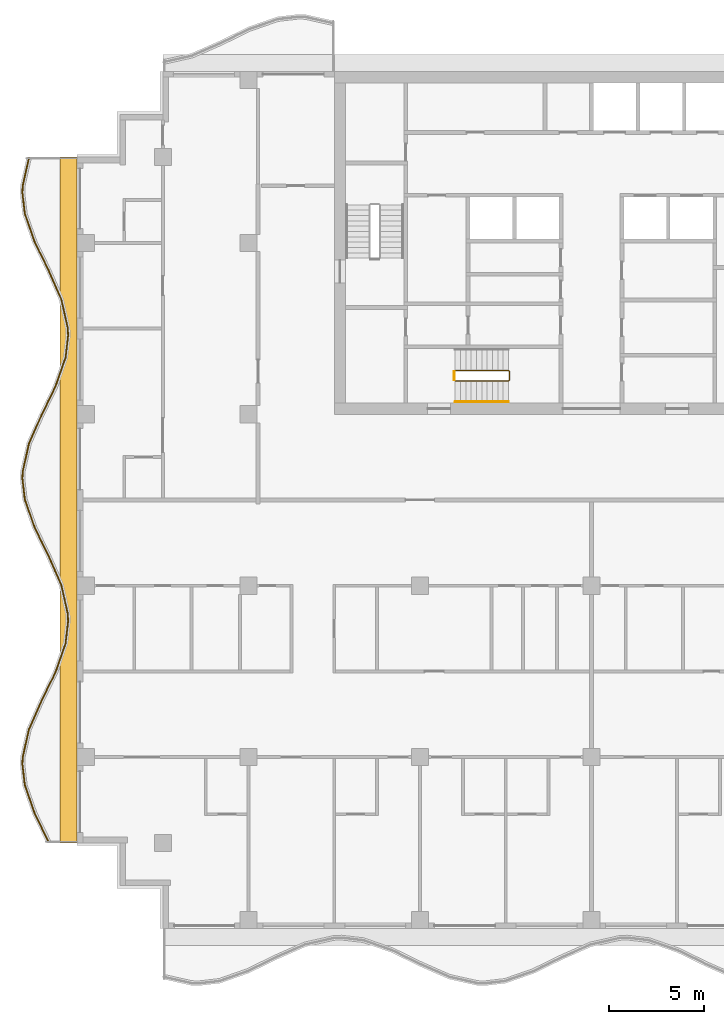
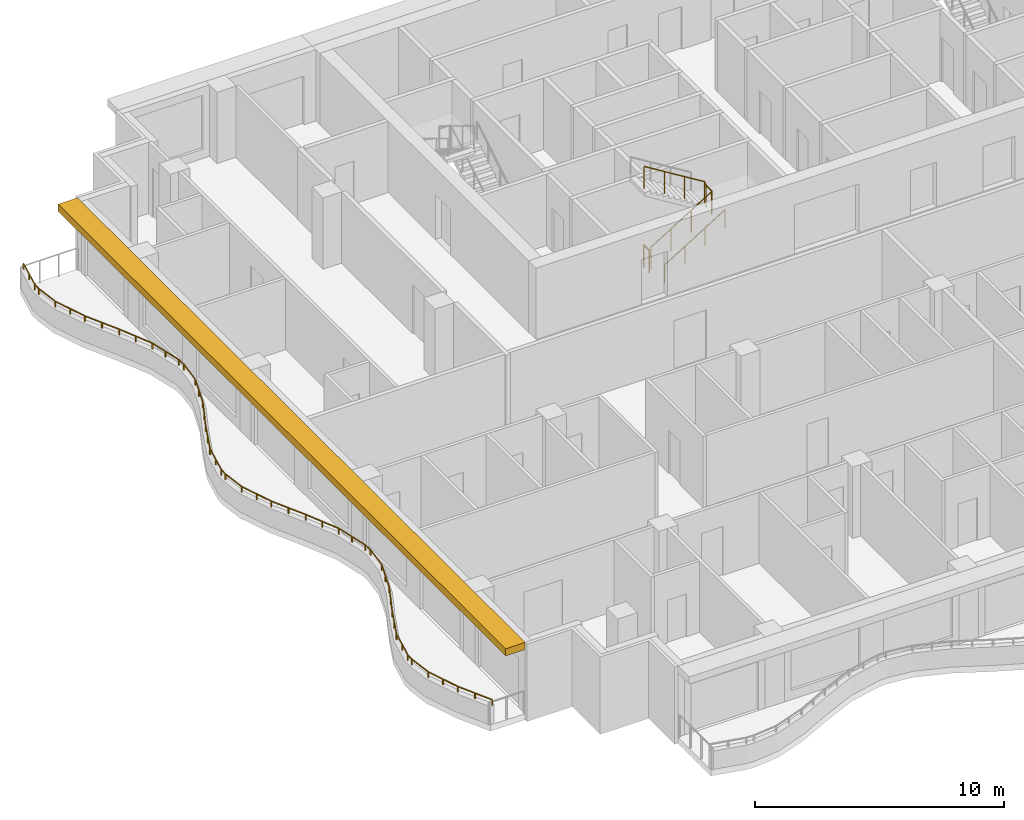
# One storey, part 9 of 11: 4 railings, 1 shading device.
"""IFC4 building model written with IfcOpenShell, lengths in metres."""

from ifc_helpers import new_model, si_unit, direction, frame, origin, origin_2d, place, context, subcontext, project, spatial, polyline, rectangle, circle, outline, extrude, material, layer, layer_set, type_object, element, save


model = new_model("IFC4")

# Units and contexts
model_context = context("Model", 3, precision=1e-05, world=origin(), true_north=direction((0.0, 1.0)))
body_context = subcontext(model_context, "Body", "Model", "MODEL_VIEW")
ifc_project = project(units=[si_unit("LENGTHUNIT", "METRE"), si_unit("AREAUNIT", "SQUARE_METRE"), si_unit("VOLUMEUNIT", "CUBIC_METRE"), si_unit("PLANEANGLEUNIT", "RADIAN"), si_unit("MASSUNIT", "GRAM", prefix="KILO")], contexts=[model_context])

# Site, building, storey
site_placement = place(None, origin())
site = spatial("IfcSite", under=ifc_project, at=site_placement, CompositionType="ELEMENT")
building_placement = place(site_placement, origin())
building = spatial("IfcBuilding", under=site, at=building_placement, Name="Orbiselva Terraces", CompositionType="ELEMENT")
storey_placement = place(building_placement, frame((0.0, 0.0, 276.8)))
storey = spatial("IfcBuildingStorey", under=building, at=storey_placement, Name="L70", CompositionType="ELEMENT", Elevation=276.8)

# Railings
ifc_material_1 = material(Name="Stainless steel", Category="steel")
railing_type_1 = type_object("IfcRailingType", Name="CORE-GUARD-1100", PredefinedType="GUARDRAIL", material=ifc_material_1)
railing_1_placement = place(storey_placement, frame((-7.15, 6.25, 0.172727)))
element("IfcRailing", 1, at=railing_1_placement, inside=storey, type_object=railing_type_1, Name="L70 S3 stair guard 1", PredefinedType="GUARDRAIL", context=body_context, shape_type="SweptSolid", body=[
    extrude(circle(Radius=0.024, at=origin_2d()), frame((0.0, 0.0, 1.081), z_axis=(0.851088519012, 0.0, 0.52502222125), x_axis=(0.0, 1.0, 0.0)), (0.0, 0.0, 1.0), 3.289905),
    extrude(circle(Radius=0.024, at=origin_2d()), frame((2.8, 0.0, 2.808273), z_axis=(0.707106781187, 0.707106781187, 0.0), x_axis=(-0.707106781187, 0.707106781187, 0.0)), (0.0, 0.0, 1.0), 0.070711),
    extrude(circle(Radius=0.024, at=origin_2d()), frame((2.85, 0.05, 2.808273), z_axis=(0.0, 1.0, 0.0), x_axis=(-1.0, 0.0, 0.0)), (0.0, 0.0, 1.0), 0.45),
    extrude(circle(Radius=0.024, at=origin_2d()), frame((2.85, 0.5, 2.808273), z_axis=(-0.267894925557, 0.267894925557, 0.925453736133), x_axis=(-0.707106781187, -0.707106781187, 0.0)), (0.0, 0.0, 1.0), 0.18664),
    extrude(circle(Radius=0.024, at=origin_2d()), frame((2.8, 0.55, 2.981), z_axis=(-0.851088519012, 0.0, 0.52502222125), x_axis=(0.0, -1.0, 0.0)), (0.0, 0.0, 1.0), 3.289905),
    extrude(circle(Radius=0.021, at=origin_2d()), origin(), (0.0, 0.0, 1.0), 1.057),
    extrude(circle(Radius=0.021, at=origin_2d()), frame((0.933333, 0.0, 0.575758)), (0.0, 0.0, 1.0), 1.057),
    extrude(circle(Radius=0.021, at=origin_2d()), frame((1.866667, 0.0, 1.151515)), (0.0, 0.0, 1.0), 1.057),
    extrude(circle(Radius=0.021, at=origin_2d()), frame((2.8, 0.0, 1.727273)), (0.0, 0.0, 1.0), 1.057),
    extrude(circle(Radius=0.021, at=origin_2d()), frame((2.85, 0.05, 1.727273)), (0.0, 0.0, 1.0), 1.057),
    extrude(circle(Radius=0.021, at=origin_2d()), frame((2.85, 0.5, 1.727273)), (0.0, 0.0, 1.0), 1.057),
    extrude(circle(Radius=0.021, at=origin_2d()), frame((2.8, 0.55, 1.9)), (0.0, 0.0, 1.0), 1.057),
    extrude(circle(Radius=0.021, at=origin_2d()), frame((1.866667, 0.55, 2.475758)), (0.0, 0.0, 1.0), 1.057),
    extrude(circle(Radius=0.021, at=origin_2d()), frame((0.933333, 0.55, 3.051515)), (0.0, 0.0, 1.0), 1.057),
    extrude(circle(Radius=0.021, at=origin_2d()), frame((0.0, 0.55, 3.627273)), (0.0, 0.0, 1.0), 1.057),
])
railing_2_placement = place(storey_placement, frame((-7.2, 6.3, 0.0)))
element("IfcRailing", 2, at=railing_2_placement, inside=storey, type_object=railing_type_1, Name="L70 S3 stair guard 2", PredefinedType="GUARDRAIL", context=body_context, shape_type="SweptSolid", body=[
    extrude(circle(Radius=0.024, at=origin_2d()), frame((0.0, 0.0, 1.081), z_axis=(0.0, 1.0, 0.0), x_axis=(-1.0, 0.0, 0.0)), (0.0, 0.0, 1.0), 0.45),
    extrude(circle(Radius=0.021, at=origin_2d()), origin(), (0.0, 0.0, 1.0), 1.057),
    extrude(circle(Radius=0.021, at=origin_2d()), frame((0.0, 0.45, 0.0)), (0.0, 0.0, 1.0), 1.057),
])
railing_type_2 = type_object("IfcRailingType", Name="CORE-HANDRAIL-900", PredefinedType="HANDRAIL", material=ifc_material_1)
railing_3_placement = place(storey_placement, frame((-7.15, 5.15, 0.172727)))
element("IfcRailing", 3, at=railing_3_placement, inside=storey, type_object=railing_type_2, Name="L70 S3 stair handrail 1", PredefinedType="HANDRAIL", context=body_context, shape_type="SweptSolid", body=[
    extrude(circle(Radius=0.024, at=origin_2d()), frame((0.0, 0.0, 0.876), z_axis=(0.851088519012, 0.0, 0.52502222125), x_axis=(0.0, 1.0, 0.0)), (0.0, 0.0, 1.0), 3.289905),
    extrude(circle(Radius=0.021, at=origin_2d()), origin(), (0.0, 0.0, 1.0), 0.852),
    extrude(circle(Radius=0.021, at=origin_2d()), frame((0.933333, 0.0, 0.575758)), (0.0, 0.0, 1.0), 0.852),
    extrude(circle(Radius=0.021, at=origin_2d()), frame((1.866667, 0.0, 1.151515)), (0.0, 0.0, 1.0), 0.852),
    extrude(circle(Radius=0.021, at=origin_2d()), frame((2.8, 0.0, 1.727273)), (0.0, 0.0, 1.0), 0.852),
])
ifc_material_2 = material(Name="Bonded two-ply safety glass balustrade, stainless steel posts", Category="steel")
railing_type_3 = type_object("IfcRailingType", Name="ENV-BALUSTRADE-1200", PredefinedType="BALUSTRADE", material=ifc_material_2)
railing_4_placement = place(storey_placement, frame((-29.526563, 17.972623, 0.9)))
element("IfcRailing", 4, at=railing_4_placement, inside=storey, type_object=railing_type_3, Name="Balcony balustrade L70 W", PredefinedType="BALUSTRADE", context=body_context, shape_type="SweptSolid", body=[
    extrude(outline(polyline([(0.028868, 0.0), (0.014434, 0.025), (-0.014434, 0.025), (-0.028868, 0.0), (-0.014434, -0.025), (0.014434, -0.025), (0.028868, 0.0)])), frame((0.0, 0.0, 0.275), z_axis=(-0.21901575501, -0.975721322437, 0.0), x_axis=(0.975721322437, -0.21901575501, 0.0)), (0.0, 0.0, 1.0), 1.525954),
    extrude(outline(polyline([(0.028868, 0.0), (0.014434, 0.025), (-0.014434, 0.025), (-0.028868, 0.0), (-0.014434, -0.025), (0.014434, -0.025), (0.028868, 0.0)])), frame((-0.334208, -1.488906, 0.275), z_axis=(-0.039364150694, -0.999224931454, 0.0), x_axis=(0.999224931454, -0.039364150694, 0.0)), (0.0, 0.0, 1.0), 0.354206),
    extrude(outline(polyline([(0.028868, 0.0), (0.014434, 0.025), (-0.014434, 0.025), (-0.028868, 0.0), (-0.014434, -0.025), (0.014434, -0.025), (0.028868, 0.0)])), frame((-0.348151, -1.842837, 0.275), z_axis=(0.115481264762, -0.993309658409, 0.0), x_axis=(0.993309658409, 0.115481264762, 0.0)), (0.0, 0.0, 1.0), 1.10902),
    extrude(outline(polyline([(0.028868, 0.0), (0.014434, 0.025), (-0.014434, 0.025), (-0.028868, 0.0), (-0.014434, -0.025), (0.014434, -0.025), (0.028868, 0.0)])), frame((-0.22008, -2.944437, 0.275), z_axis=(0.330024754707, -0.943972277814, 0.0), x_axis=(0.943972277814, 0.330024754707, 0.0)), (0.0, 0.0, 1.0), 1.567807),
    extrude(outline(polyline([(0.028868, 0.0), (0.014434, 0.025), (-0.014434, 0.025), (-0.028868, 0.0), (-0.014434, -0.025), (0.014434, -0.025), (0.028868, 0.0)])), frame((0.297335, -4.424403, 0.275), z_axis=(0.438811978768, -0.89857890432, 0.0), x_axis=(0.89857890432, 0.438811978768, 0.0)), (0.0, 0.0, 1.0), 1.66438),
    extrude(outline(polyline([(0.028868, 0.0), (0.014434, 0.025), (-0.014434, 0.025), (-0.028868, 0.0), (-0.014434, -0.025), (0.014434, -0.025), (0.028868, 0.0)])), frame((1.027685, -5.91998, 0.275), z_axis=(0.403150874148, -0.915133527237, 0.0), x_axis=(0.915133527237, 0.403150874148, 0.0)), (0.0, 0.0, 1.0), 1.653736),
    extrude(outline(polyline([(0.028868, 0.0), (0.014434, 0.025), (-0.014434, 0.025), (-0.028868, 0.0), (-0.014434, -0.025), (0.014434, -0.025), (0.028868, 0.0)])), frame((1.69439, -7.433369, 0.275), z_axis=(0.219015500924, -0.97572137947, 0.0), x_axis=(0.97572137947, 0.219015500924, 0.0)), (0.0, 0.0, 1.0), 1.560867),
    extrude(outline(polyline([(0.028868, 0.0), (0.014434, 0.025), (-0.014434, 0.025), (-0.028868, 0.0), (-0.014434, -0.025), (0.014434, -0.025), (0.028868, 0.0)])), frame((2.036244, -8.95634, 0.275), z_axis=(0.03936915532, -0.999224734286, 0.0), x_axis=(0.999224734286, 0.03936915532, 0.0)), (0.0, 0.0, 1.0), 0.396376),
    extrude(outline(polyline([(0.028868, 0.0), (0.014434, 0.025), (-0.014434, 0.025), (-0.028868, 0.0), (-0.014434, -0.025), (0.014434, -0.025), (0.028868, 0.0)])), frame((2.051849, -9.352409, 0.275), z_axis=(-0.115482182324, -0.993309551734, 0.0), x_axis=(0.993309551734, -0.115482182324, 0.0)), (0.0, 0.0, 1.0), 1.156135),
    extrude(outline(polyline([(0.028868, 0.0), (0.014434, 0.025), (-0.014434, 0.025), (-0.028868, 0.0), (-0.014434, -0.025), (0.014434, -0.025), (0.028868, 0.0)])), frame((1.918336, -10.500809, 0.275), z_axis=(-0.330024597479, -0.943972332783, 0.0), x_axis=(0.943972332783, -0.330024597479, 0.0)), (0.0, 0.0, 1.0), 1.610253),
    extrude(outline(polyline([(0.028868, 0.0), (0.014434, 0.025), (-0.014434, 0.025), (-0.028868, 0.0), (-0.014434, -0.025), (0.014434, -0.025), (0.028868, 0.0)])), frame((1.386913, -12.020843, 0.275), z_axis=(-0.438812048596, -0.898578870221, 0.0), x_axis=(0.898578870221, -0.438812048596, 0.0)), (0.0, 0.0, 1.0), 1.674225),
    extrude(outline(polyline([(0.028868, 0.0), (0.014434, 0.025), (-0.014434, 0.025), (-0.028868, 0.0), (-0.014434, -0.025), (0.014434, -0.025), (0.028868, 0.0)])), frame((0.652243, -13.525266, 0.275), z_axis=(-0.403151245402, -0.915133363686, 0.0), x_axis=(0.915133363686, -0.403151245402, 0.0)), (0.0, 0.0, 1.0), 1.624475),
    extrude(outline(polyline([(0.028868, 0.0), (0.014434, 0.025), (-0.014434, 0.025), (-0.028868, 0.0), (-0.014434, -0.025), (0.014434, -0.025), (0.028868, 0.0)])), frame((-0.002666, -15.011877, 0.275), z_axis=(-0.219015740235, -0.975721325753, 0.0), x_axis=(0.975721325753, -0.219015740235, 0.0)), (0.0, 0.0, 1.0), 1.513782),
    extrude(outline(polyline([(0.028868, 0.0), (0.014434, 0.025), (-0.014434, 0.025), (-0.028868, 0.0), (-0.014434, -0.025), (0.014434, -0.025), (0.028868, 0.0)])), frame((-0.334208, -16.488906, 0.275), z_axis=(-0.039364150694, -0.999224931454, 0.0), x_axis=(0.999224931454, -0.039364150694, 0.0)), (0.0, 0.0, 1.0), 0.354206),
    extrude(outline(polyline([(0.028868, 0.0), (0.014434, 0.025), (-0.014434, 0.025), (-0.028868, 0.0), (-0.014434, -0.025), (0.014434, -0.025), (0.028868, 0.0)])), frame((-0.348151, -16.842837, 0.275), z_axis=(0.115481264762, -0.993309658409, 0.0), x_axis=(0.993309658409, 0.115481264762, 0.0)), (0.0, 0.0, 1.0), 1.10902),
    extrude(outline(polyline([(0.028868, 0.0), (0.014434, 0.025), (-0.014434, 0.025), (-0.028868, 0.0), (-0.014434, -0.025), (0.014434, -0.025), (0.028868, 0.0)])), frame((-0.22008, -17.944437, 0.275), z_axis=(0.330024754707, -0.943972277814, 0.0), x_axis=(0.943972277814, 0.330024754707, 0.0)), (0.0, 0.0, 1.0), 1.567807),
    extrude(outline(polyline([(0.028868, 0.0), (0.014434, 0.025), (-0.014434, 0.025), (-0.028868, 0.0), (-0.014434, -0.025), (0.014434, -0.025), (0.028868, 0.0)])), frame((0.297335, -19.424403, 0.275), z_axis=(0.438811978768, -0.89857890432, 0.0), x_axis=(0.89857890432, 0.438811978768, 0.0)), (0.0, 0.0, 1.0), 1.66438),
    extrude(outline(polyline([(0.028868, 0.0), (0.014434, 0.025), (-0.014434, 0.025), (-0.028868, 0.0), (-0.014434, -0.025), (0.014434, -0.025), (0.028868, 0.0)])), frame((1.027685, -20.91998, 0.275), z_axis=(0.403150874148, -0.915133527237, 0.0), x_axis=(0.915133527237, 0.403150874148, 0.0)), (0.0, 0.0, 1.0), 1.653736),
    extrude(outline(polyline([(0.028868, 0.0), (0.014434, 0.025), (-0.014434, 0.025), (-0.028868, 0.0), (-0.014434, -0.025), (0.014434, -0.025), (0.028868, 0.0)])), frame((1.69439, -22.433369, 0.275), z_axis=(0.219015500924, -0.97572137947, 0.0), x_axis=(0.97572137947, 0.219015500924, 0.0)), (0.0, 0.0, 1.0), 1.560867),
    extrude(outline(polyline([(0.028868, 0.0), (0.014434, 0.025), (-0.014434, 0.025), (-0.028868, 0.0), (-0.014434, -0.025), (0.014434, -0.025), (0.028868, 0.0)])), frame((2.036244, -23.95634, 0.275), z_axis=(0.03936915532, -0.999224734286, 0.0), x_axis=(0.999224734286, 0.03936915532, 0.0)), (0.0, 0.0, 1.0), 0.396376),
    extrude(outline(polyline([(0.028868, 0.0), (0.014434, 0.025), (-0.014434, 0.025), (-0.028868, 0.0), (-0.014434, -0.025), (0.014434, -0.025), (0.028868, 0.0)])), frame((2.051849, -24.352409, 0.275), z_axis=(-0.115482182324, -0.993309551734, 0.0), x_axis=(0.993309551734, -0.115482182324, 0.0)), (0.0, 0.0, 1.0), 1.156135),
    extrude(outline(polyline([(0.028868, 0.0), (0.014434, 0.025), (-0.014434, 0.025), (-0.028868, 0.0), (-0.014434, -0.025), (0.014434, -0.025), (0.028868, 0.0)])), frame((1.918336, -25.500809, 0.275), z_axis=(-0.330024597479, -0.943972332783, 0.0), x_axis=(0.943972332783, -0.330024597479, 0.0)), (0.0, 0.0, 1.0), 1.610253),
    extrude(outline(polyline([(0.028868, 0.0), (0.014434, 0.025), (-0.014434, 0.025), (-0.028868, 0.0), (-0.014434, -0.025), (0.014434, -0.025), (0.028868, 0.0)])), frame((1.386913, -27.020843, 0.275), z_axis=(-0.438812048596, -0.898578870221, 0.0), x_axis=(0.898578870221, -0.438812048596, 0.0)), (0.0, 0.0, 1.0), 1.674225),
    extrude(outline(polyline([(0.028868, 0.0), (0.014434, 0.025), (-0.014434, 0.025), (-0.028868, 0.0), (-0.014434, -0.025), (0.014434, -0.025), (0.028868, 0.0)])), frame((0.652243, -28.525266, 0.275), z_axis=(-0.403151245402, -0.915133363686, 0.0), x_axis=(0.915133363686, -0.403151245402, 0.0)), (0.0, 0.0, 1.0), 1.624475),
    extrude(outline(polyline([(0.028868, 0.0), (0.014434, 0.025), (-0.014434, 0.025), (-0.028868, 0.0), (-0.014434, -0.025), (0.014434, -0.025), (0.028868, 0.0)])), frame((-0.002666, -30.011877, 0.275), z_axis=(-0.219015740235, -0.975721325753, 0.0), x_axis=(0.975721325753, -0.219015740235, 0.0)), (0.0, 0.0, 1.0), 1.513782),
    extrude(outline(polyline([(0.028868, 0.0), (0.014434, 0.025), (-0.014434, 0.025), (-0.028868, 0.0), (-0.014434, -0.025), (0.014434, -0.025), (0.028868, 0.0)])), frame((-0.334208, -31.488906, 0.275), z_axis=(-0.039364150694, -0.999224931454, 0.0), x_axis=(0.999224931454, -0.039364150694, 0.0)), (0.0, 0.0, 1.0), 0.354206),
    extrude(outline(polyline([(0.028868, 0.0), (0.014434, 0.025), (-0.014434, 0.025), (-0.028868, 0.0), (-0.014434, -0.025), (0.014434, -0.025), (0.028868, 0.0)])), frame((-0.348151, -31.842837, 0.275), z_axis=(0.115481264762, -0.993309658409, 0.0), x_axis=(0.993309658409, 0.115481264762, 0.0)), (0.0, 0.0, 1.0), 1.10902),
    extrude(outline(polyline([(0.028868, 0.0), (0.014434, 0.025), (-0.014434, 0.025), (-0.028868, 0.0), (-0.014434, -0.025), (0.014434, -0.025), (0.028868, 0.0)])), frame((-0.22008, -32.944437, 0.275), z_axis=(0.330024754707, -0.943972277814, 0.0), x_axis=(0.943972277814, 0.330024754707, 0.0)), (0.0, 0.0, 1.0), 1.567807),
    extrude(outline(polyline([(0.028868, 0.0), (0.014434, 0.025), (-0.014434, 0.025), (-0.028868, 0.0), (-0.014434, -0.025), (0.014434, -0.025), (0.028868, 0.0)])), frame((0.297335, -34.424403, 0.275), z_axis=(0.438811853882, -0.898578965307, 0.0), x_axis=(0.898578965307, 0.438811853882, 0.0)), (0.0, 0.0, 1.0), 1.661922),
    extrude(rectangle(XDim=0.05, YDim=0.05, at=origin_2d()), origin(), (0.0, 0.0, 1.0), 0.25),
    extrude(rectangle(XDim=0.05, YDim=0.05, at=origin_2d()), frame((-0.167104, -0.744453, 0.0)), (0.0, 0.0, 1.0), 0.25),
    extrude(rectangle(XDim=0.05, YDim=0.05, at=origin_2d()), frame((-0.334208, -1.488906, 0.0)), (0.0, 0.0, 1.0), 0.25),
    extrude(rectangle(XDim=0.05, YDim=0.05, at=origin_2d()), frame((-0.348151, -1.842837, 0.0)), (0.0, 0.0, 1.0), 0.25),
    extrude(rectangle(XDim=0.05, YDim=0.05, at=origin_2d()), frame((-0.22008, -2.944437, 0.0)), (0.0, 0.0, 1.0), 0.25),
    extrude(rectangle(XDim=0.05, YDim=0.05, at=origin_2d()), frame((0.038628, -3.68442, 0.0)), (0.0, 0.0, 1.0), 0.25),
    extrude(rectangle(XDim=0.05, YDim=0.05, at=origin_2d()), frame((0.297335, -4.424403, 0.0)), (0.0, 0.0, 1.0), 0.25),
    extrude(rectangle(XDim=0.05, YDim=0.05, at=origin_2d()), frame((0.66251, -5.172191, 0.0)), (0.0, 0.0, 1.0), 0.25),
    extrude(rectangle(XDim=0.05, YDim=0.05, at=origin_2d()), frame((1.027685, -5.91998, 0.0)), (0.0, 0.0, 1.0), 0.25),
    extrude(rectangle(XDim=0.05, YDim=0.05, at=origin_2d()), frame((1.361037, -6.676674, 0.0)), (0.0, 0.0, 1.0), 0.25),
    extrude(rectangle(XDim=0.05, YDim=0.05, at=origin_2d()), frame((1.69439, -7.433369, 0.0)), (0.0, 0.0, 1.0), 0.25),
    extrude(rectangle(XDim=0.05, YDim=0.05, at=origin_2d()), frame((1.865317, -8.194854, 0.0)), (0.0, 0.0, 1.0), 0.25),
    extrude(rectangle(XDim=0.05, YDim=0.05, at=origin_2d()), frame((2.036244, -8.95634, 0.0)), (0.0, 0.0, 1.0), 0.25),
    extrude(rectangle(XDim=0.05, YDim=0.05, at=origin_2d()), frame((2.051849, -9.352409, 0.0)), (0.0, 0.0, 1.0), 0.25),
    extrude(rectangle(XDim=0.05, YDim=0.05, at=origin_2d()), frame((1.918336, -10.500809, 0.0)), (0.0, 0.0, 1.0), 0.25),
    extrude(rectangle(XDim=0.05, YDim=0.05, at=origin_2d()), frame((1.652624, -11.260826, 0.0)), (0.0, 0.0, 1.0), 0.25),
    extrude(rectangle(XDim=0.05, YDim=0.05, at=origin_2d()), frame((1.386913, -12.020843, 0.0)), (0.0, 0.0, 1.0), 0.25),
    extrude(rectangle(XDim=0.05, YDim=0.05, at=origin_2d()), frame((1.019578, -12.773054, 0.0)), (0.0, 0.0, 1.0), 0.25),
    extrude(rectangle(XDim=0.05, YDim=0.05, at=origin_2d()), frame((0.652243, -13.525266, 0.0)), (0.0, 0.0, 1.0), 0.25),
    extrude(rectangle(XDim=0.05, YDim=0.05, at=origin_2d()), frame((0.324788, -14.268571, 0.0)), (0.0, 0.0, 1.0), 0.25),
    extrude(rectangle(XDim=0.05, YDim=0.05, at=origin_2d()), frame((-0.002666, -15.011877, 0.0)), (0.0, 0.0, 1.0), 0.25),
    extrude(rectangle(XDim=0.05, YDim=0.05, at=origin_2d()), frame((-0.168437, -15.750392, 0.0)), (0.0, 0.0, 1.0), 0.25),
    extrude(rectangle(XDim=0.05, YDim=0.05, at=origin_2d()), frame((-0.334208, -16.488906, 0.0)), (0.0, 0.0, 1.0), 0.25),
    extrude(rectangle(XDim=0.05, YDim=0.05, at=origin_2d()), frame((-0.348151, -16.842837, 0.0)), (0.0, 0.0, 1.0), 0.25),
    extrude(rectangle(XDim=0.05, YDim=0.05, at=origin_2d()), frame((-0.22008, -17.944437, 0.0)), (0.0, 0.0, 1.0), 0.25),
    extrude(rectangle(XDim=0.05, YDim=0.05, at=origin_2d()), frame((0.038628, -18.68442, 0.0)), (0.0, 0.0, 1.0), 0.25),
    extrude(rectangle(XDim=0.05, YDim=0.05, at=origin_2d()), frame((0.297335, -19.424403, 0.0)), (0.0, 0.0, 1.0), 0.25),
    extrude(rectangle(XDim=0.05, YDim=0.05, at=origin_2d()), frame((0.66251, -20.172191, 0.0)), (0.0, 0.0, 1.0), 0.25),
    extrude(rectangle(XDim=0.05, YDim=0.05, at=origin_2d()), frame((1.027685, -20.91998, 0.0)), (0.0, 0.0, 1.0), 0.25),
    extrude(rectangle(XDim=0.05, YDim=0.05, at=origin_2d()), frame((1.361037, -21.676674, 0.0)), (0.0, 0.0, 1.0), 0.25),
    extrude(rectangle(XDim=0.05, YDim=0.05, at=origin_2d()), frame((1.69439, -22.433369, 0.0)), (0.0, 0.0, 1.0), 0.25),
    extrude(rectangle(XDim=0.05, YDim=0.05, at=origin_2d()), frame((1.865317, -23.194854, 0.0)), (0.0, 0.0, 1.0), 0.25),
    extrude(rectangle(XDim=0.05, YDim=0.05, at=origin_2d()), frame((2.036244, -23.95634, 0.0)), (0.0, 0.0, 1.0), 0.25),
    extrude(rectangle(XDim=0.05, YDim=0.05, at=origin_2d()), frame((2.051849, -24.352409, 0.0)), (0.0, 0.0, 1.0), 0.25),
    extrude(rectangle(XDim=0.05, YDim=0.05, at=origin_2d()), frame((1.918336, -25.500809, 0.0)), (0.0, 0.0, 1.0), 0.25),
    extrude(rectangle(XDim=0.05, YDim=0.05, at=origin_2d()), frame((1.652624, -26.260826, 0.0)), (0.0, 0.0, 1.0), 0.25),
    extrude(rectangle(XDim=0.05, YDim=0.05, at=origin_2d()), frame((1.386913, -27.020843, 0.0)), (0.0, 0.0, 1.0), 0.25),
    extrude(rectangle(XDim=0.05, YDim=0.05, at=origin_2d()), frame((1.019578, -27.773054, 0.0)), (0.0, 0.0, 1.0), 0.25),
    extrude(rectangle(XDim=0.05, YDim=0.05, at=origin_2d()), frame((0.652243, -28.525266, 0.0)), (0.0, 0.0, 1.0), 0.25),
    extrude(rectangle(XDim=0.05, YDim=0.05, at=origin_2d()), frame((0.324788, -29.268572, 0.0)), (0.0, 0.0, 1.0), 0.25),
    extrude(rectangle(XDim=0.05, YDim=0.05, at=origin_2d()), frame((-0.002666, -30.011877, 0.0)), (0.0, 0.0, 1.0), 0.25),
    extrude(rectangle(XDim=0.05, YDim=0.05, at=origin_2d()), frame((-0.168437, -30.750392, 0.0)), (0.0, 0.0, 1.0), 0.25),
    extrude(rectangle(XDim=0.05, YDim=0.05, at=origin_2d()), frame((-0.334208, -31.488906, 0.0)), (0.0, 0.0, 1.0), 0.25),
    extrude(rectangle(XDim=0.05, YDim=0.05, at=origin_2d()), frame((-0.348151, -31.842837, 0.0)), (0.0, 0.0, 1.0), 0.25),
    extrude(rectangle(XDim=0.05, YDim=0.05, at=origin_2d()), frame((-0.22008, -32.944437, 0.0)), (0.0, 0.0, 1.0), 0.25),
    extrude(rectangle(XDim=0.05, YDim=0.05, at=origin_2d()), frame((0.038628, -33.68442, 0.0)), (0.0, 0.0, 1.0), 0.25),
    extrude(rectangle(XDim=0.05, YDim=0.05, at=origin_2d()), frame((0.297335, -34.424403, 0.0)), (0.0, 0.0, 1.0), 0.25),
    extrude(rectangle(XDim=0.05, YDim=0.05, at=origin_2d()), frame((0.661971, -35.171087, 0.0)), (0.0, 0.0, 1.0), 0.25),
    extrude(rectangle(XDim=0.05, YDim=0.05, at=origin_2d()), frame((1.026606, -35.917771, 0.0)), (0.0, 0.0, 1.0), 0.25),
])

# Shading device
ifc_material_3 = material(Name="Terracotta baguette sunshade", Category="masonry")
ifc_layer = layer(ifc_material_3, 0.35)
ifc_layer_set = layer_set([ifc_layer], Name="Terracotta baguette sunshade")
shading_device_type = type_object("IfcShadingDeviceType", Name="ENV-SUNSHADE-900x350", PredefinedType="USERDEFINED", material=ifc_layer_set)
shading_device_placement = place(storey_placement, frame((0.0, 0.0, 3.15)))
element("IfcShadingDevice", 5, at=shading_device_placement, inside=storey, type_object=shading_device_type, Name="Sunshade band L70 W", ObjectType="SUNSHADE", PredefinedType="USERDEFINED", context=body_context, shape_type="SweptSolid", body=[
    extrude(outline(polyline([(-27.9, 18.0), (-27.9, -18.0), (-27.0, -18.0), (-27.0, 18.0), (-27.9, 18.0)])), origin(), (0.0, 0.0, 1.0), 0.35),
])

save(model, "model.ifc")
